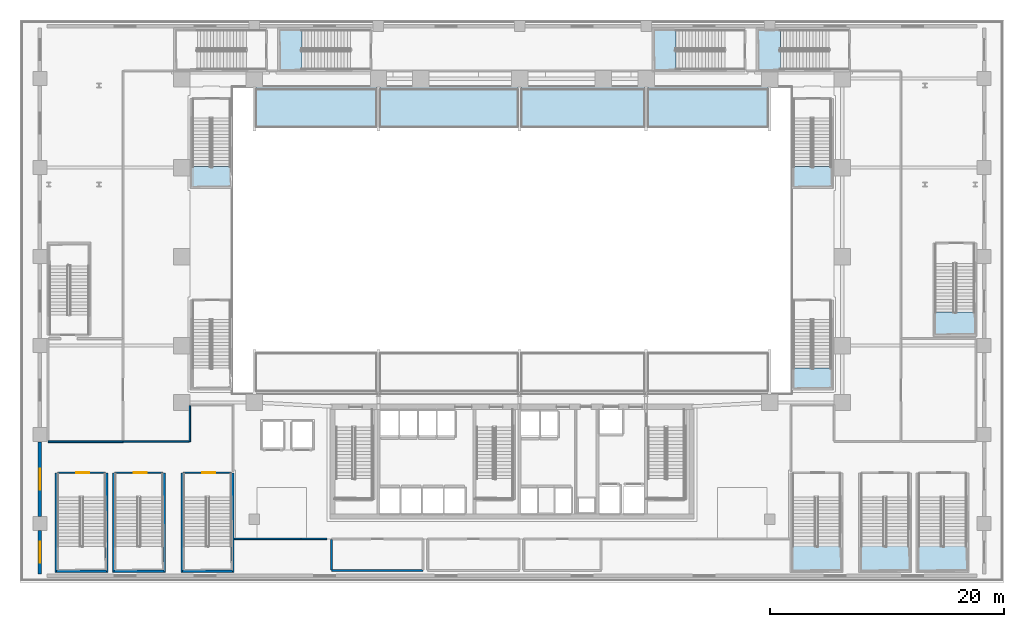
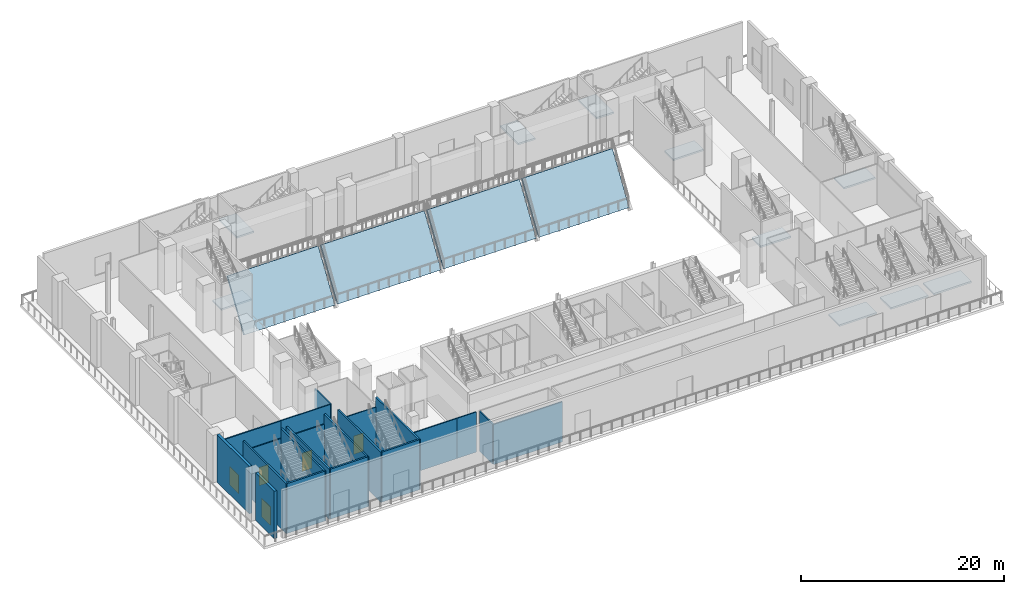
# One storey, part 6 of 30: 21 walls, 14 slabs, 3 doors, 2 windows, 5 openings, 10 elements without a shape of their own.
"""IFC4 building model written with IfcOpenShell, lengths in metres."""

from ifc_helpers import new_model, si_unit, direction, frame, frame_2d, origin, place, context, subcontext, project, spatial, polyline, rectangle, outline, extrude, material, layer, layer_set, type_object, element, fill, aggregate, save


model = new_model("IFC4")

# Units and contexts
model_context = context("Model", 3, precision=1e-05, world=origin(), true_north=direction((0.0, 1.0)))
body_context = subcontext(model_context, "Body", "Model", "MODEL_VIEW")
ifc_project = project(units=[si_unit("LENGTHUNIT", "METRE"), si_unit("AREAUNIT", "SQUARE_METRE"), si_unit("VOLUMEUNIT", "CUBIC_METRE"), si_unit("PLANEANGLEUNIT", "RADIAN"), si_unit("MASSUNIT", "GRAM", prefix="KILO")], contexts=[model_context])

# Site, building, storey
site_placement = place(None, origin())
site = spatial("IfcSite", under=ifc_project, at=site_placement, CompositionType="ELEMENT")
building_placement = place(site_placement, origin())
building = spatial("IfcBuilding", under=site, at=building_placement, Name="Ndaravel Arena Tower", CompositionType="ELEMENT")
storey_placement = place(building_placement, frame((0.0, 0.0, 6.0)))
storey = spatial("IfcBuildingStorey", under=building, at=storey_placement, Name="L01", CompositionType="ELEMENT", Elevation=6.0)

# Stair, slab
ifc_material_1 = material(Name="Concrete C40/50", Category="concrete")
stair_type_1 = type_object("IfcStairType", Name="STAIR-ARENA-HT", PredefinedType="HALF_TURN_STAIR", material=ifc_material_1)
stair_1_placement = place(storey_placement, origin())
stair_1 = element("IfcStair", 1, at=stair_1_placement, inside=storey, type_object=stair_type_1, Name="L01 ST-A04", PredefinedType="HALF_TURN_STAIR")
ifc_material_2 = material(Name="Concrete C40/50", Category="concrete")
ifc_layer_1 = layer(ifc_material_2, 0.199951171875)
ifc_layer_set_1 = layer_set([ifc_layer_1], Name="Concrete C40/50")
slab_type_1 = type_object("IfcSlabType", Name="SLAB-STAIR-LANDING", PredefinedType="LANDING", material=ifc_layer_set_1)
slab_1_placement = place(storey_placement, frame((0.0, 0.0, 2.800048828125)))
slab_1 = element("IfcSlab", 2, at=slab_1_placement, type_object=slab_type_1, Name="ST-A04 landing 1", PredefinedType="LANDING", context=body_context, shape_type="SweptSolid", body=[
    extrude(outline(polyline([(65.8701171875, 3.10498046875), (65.8701171875, 0.969970703125), (70.1298828125, 0.969970703125), (70.1298828125, 3.10498046875), (65.8701171875, 3.10498046875)])), origin(), (0.0, 0.0, 1.0), 0.199951171875),
])
aggregate(stair_1, [slab_1])

stair_2_placement = place(storey_placement, origin())
stair_2 = element("IfcStair", 3, at=stair_2_placement, inside=storey, type_object=stair_type_1, Name="L01 ST-A05", PredefinedType="HALF_TURN_STAIR")
slab_2_placement = place(storey_placement, frame((0.0, 0.0, 2.800048828125)))
slab_2 = element("IfcSlab", 4, at=slab_2_placement, type_object=slab_type_1, Name="ST-A05 landing 1", PredefinedType="LANDING", context=body_context, shape_type="SweptSolid", body=[
    extrude(outline(polyline([(71.719970703125, 3.10498046875), (71.719970703125, 0.969970703125), (75.97998046875, 0.969970703125), (75.97998046875, 3.10498046875), (71.719970703125, 3.10498046875)])), origin(), (0.0, 0.0, 1.0), 0.199951171875),
])
aggregate(stair_2, [slab_2])

stair_3_placement = place(storey_placement, origin())
stair_3 = element("IfcStair", 5, at=stair_3_placement, inside=storey, type_object=stair_type_1, Name="L01 ST-A06", PredefinedType="HALF_TURN_STAIR")
slab_3_placement = place(storey_placement, frame((0.0, 0.0, 2.800048828125)))
slab_3 = element("IfcSlab", 6, at=slab_3_placement, type_object=slab_type_1, Name="ST-A06 landing 1", PredefinedType="LANDING", context=body_context, shape_type="SweptSolid", body=[
    extrude(outline(polyline([(76.6201171875, 3.10498046875), (76.6201171875, 0.969970703125), (80.8798828125, 0.969970703125), (80.8798828125, 3.10498046875), (76.6201171875, 3.10498046875)])), origin(), (0.0, 0.0, 1.0), 0.199951171875),
])
aggregate(stair_3, [slab_3])

ifc_material_3 = material(Name="Concrete C40/50", Category="concrete")
stair_type_2 = type_object("IfcStairType", Name="STAIR-POD-QT", PredefinedType="QUARTER_TURN_STAIR", material=ifc_material_3)
stair_4_placement = place(storey_placement, origin())
stair_4 = element("IfcStair", 7, at=stair_4_placement, inside=storey, type_object=stair_type_2, Name="L01 ST-A09", PredefinedType="QUARTER_TURN_STAIR")
slab_4_placement = place(storey_placement, frame((0.0, 0.0, 2.800048828125)))
slab_4 = element("IfcSlab", 8, at=slab_4_placement, type_object=slab_type_1, Name="ST-A09 landing 1", PredefinedType="LANDING", context=body_context, shape_type="SweptSolid", body=[
    extrude(outline(polyline([(24.06494140625, 47.219970703125), (22.1201171875, 47.219970703125), (22.1201171875, 43.679931640625), (24.06494140625, 43.679931640625), (24.06494140625, 47.219970703125)])), origin(), (0.0, 0.0, 1.0), 0.199951171875),
])
aggregate(stair_4, [slab_4])

stair_5_placement = place(storey_placement, origin())
stair_5 = element("IfcStair", 9, at=stair_5_placement, inside=storey, type_object=stair_type_2, Name="L01 ST-A10", PredefinedType="QUARTER_TURN_STAIR")
slab_5_placement = place(storey_placement, frame((0.0, 0.0, 2.800048828125)))
slab_5 = element("IfcSlab", 10, at=slab_5_placement, type_object=slab_type_1, Name="ST-A10 landing 1", PredefinedType="LANDING", context=body_context, shape_type="SweptSolid", body=[
    extrude(outline(polyline([(56.014892578125, 47.219970703125), (54.070068359375, 47.219970703125), (54.070068359375, 43.679931640625), (56.014892578125, 43.679931640625), (56.014892578125, 47.219970703125)])), origin(), (0.0, 0.0, 1.0), 0.199951171875),
])
aggregate(stair_5, [slab_5])

stair_6_placement = place(storey_placement, origin())
stair_6 = element("IfcStair", 11, at=stair_6_placement, inside=storey, type_object=stair_type_2, Name="L01 ST-A11", PredefinedType="QUARTER_TURN_STAIR")
slab_6_placement = place(storey_placement, frame((0.0, 0.0, 2.800048828125)))
slab_6 = element("IfcSlab", 12, at=slab_6_placement, type_object=slab_type_1, Name="ST-A11 landing 1", PredefinedType="LANDING", context=body_context, shape_type="SweptSolid", body=[
    extrude(outline(polyline([(64.9150390625, 47.219970703125), (62.969970703125, 47.219970703125), (62.969970703125, 43.679931640625), (64.9150390625, 43.679931640625), (64.9150390625, 47.219970703125)])), origin(), (0.0, 0.0, 1.0), 0.199951171875),
])
aggregate(stair_6, [slab_6])

stair_7_placement = place(storey_placement, origin())
stair_7 = element("IfcStair", 13, at=stair_7_placement, inside=storey, type_object=stair_type_2, Name="L01 ST-A12", PredefinedType="QUARTER_TURN_STAIR")
slab_7_placement = place(storey_placement, frame((0.0, 0.0, 2.800048828125)))
slab_7 = element("IfcSlab", 14, at=slab_7_placement, type_object=slab_type_1, Name="ST-A12 landing 1", PredefinedType="LANDING", context=body_context, shape_type="SweptSolid", body=[
    extrude(outline(polyline([(78.0400390625, 23.06494140625), (78.0400390625, 21.1201171875), (81.580078125, 21.1201171875), (81.580078125, 23.06494140625), (78.0400390625, 23.06494140625)])), origin(), (0.0, 0.0, 1.0), 0.199951171875),
])
aggregate(stair_7, [slab_7])

ifc_material_4 = material(Name="Concrete C40/50", Category="concrete")
stair_type_3 = type_object("IfcStairType", Name="STAIR-VOM-STR", PredefinedType="STRAIGHT_RUN_STAIR", material=ifc_material_4)
stair_8_placement = place(storey_placement, origin())
stair_8 = element("IfcStair", 15, at=stair_8_placement, inside=storey, type_object=stair_type_3, Name="L01 ST-VOM-2", PredefinedType="STRAIGHT_RUN_STAIR")
slab_8_placement = place(storey_placement, frame((0.0, 0.0, 2.800048828125)))
slab_8 = element("IfcSlab", 16, at=slab_8_placement, type_object=slab_type_1, Name="ST-VOM-2 landing 1", PredefinedType="LANDING", context=body_context, shape_type="SweptSolid", body=[
    extrude(outline(polyline([(14.6201171875, 35.47509765625), (14.6201171875, 33.719970703125), (18.0400390625, 33.719970703125), (18.0400390625, 35.47509765625), (14.6201171875, 35.47509765625)])), origin(), (0.0, 0.0, 1.0), 0.199951171875),
])
aggregate(stair_8, [slab_8])

stair_9_placement = place(storey_placement, origin())
stair_9 = element("IfcStair", 17, at=stair_9_placement, inside=storey, type_object=stair_type_3, Name="L01 ST-VOM-3", PredefinedType="STRAIGHT_RUN_STAIR")
slab_9_placement = place(storey_placement, frame((0.0, 0.0, 2.800048828125)))
slab_9 = element("IfcSlab", 18, at=slab_9_placement, type_object=slab_type_1, Name="ST-VOM-3 landing 1", PredefinedType="LANDING", context=body_context, shape_type="SweptSolid", body=[
    extrude(outline(polyline([(65.919921875, 18.27490234375), (65.919921875, 16.52001953125), (69.340087890625, 16.52001953125), (69.340087890625, 18.27490234375), (65.919921875, 18.27490234375)])), origin(), (0.0, 0.0, 1.0), 0.199951171875),
])
aggregate(stair_9, [slab_9])

stair_10_placement = place(storey_placement, origin())
stair_10 = element("IfcStair", 19, at=stair_10_placement, inside=storey, type_object=stair_type_3, Name="L01 ST-VOM-4", PredefinedType="STRAIGHT_RUN_STAIR")
slab_10_placement = place(storey_placement, frame((0.0, 0.0, 2.800048828125)))
slab_10 = element("IfcSlab", 20, at=slab_10_placement, type_object=slab_type_1, Name="ST-VOM-4 landing 1", PredefinedType="LANDING", context=body_context, shape_type="SweptSolid", body=[
    extrude(outline(polyline([(65.919921875, 35.47509765625), (65.919921875, 33.719970703125), (69.340087890625, 33.719970703125), (69.340087890625, 35.47509765625), (65.919921875, 35.47509765625)])), origin(), (0.0, 0.0, 1.0), 0.199951171875),
])
aggregate(stair_10, [slab_10])

# Slabs
ifc_material_5 = material(Name="Precast concrete C45/55", Category="concrete")
ifc_layer_2 = layer(ifc_material_5, 0.239990234375)
ifc_layer_set_2 = layer_set([ifc_layer_2], Name="Precast concrete C45/55")
slab_type_2 = type_object("IfcSlabType", Name="SLAB-TIER-240", PredefinedType="USERDEFINED", material=ifc_layer_set_2)
slab_11_placement = place(storey_placement, frame((20.14990234375, 38.800048828125, -5.14990234375), z_axis=(0.0, -0.839559373913, 0.543267942801), x_axis=(1.0, 0.0, 0.0)))
element("IfcSlab", 21, at=slab_11_placement, inside=storey, type_object=slab_type_2, Name="Stand Lower Tier North Bay 1", ObjectType="SEATING TIER", PredefinedType="USERDEFINED", context=body_context, shape_type="SweptSolid", body=[
    extrude(outline(polyline([(0.0, 0.0), (10.300048828125, 0.0), (10.300048828125, 6.074440562623184), (0.0, 6.074440562623184), (0.0, 0.0)])), origin(), (0.0, 0.0, -1.0), 0.239990234375),
])
slab_12_placement = place(storey_placement, frame((30.75, 38.800048828125, -5.14990234375), z_axis=(0.0, -0.839559373913, 0.543267942801), x_axis=(1.0, 0.0, 0.0)))
element("IfcSlab", 22, at=slab_12_placement, inside=storey, type_object=slab_type_2, Name="Stand Lower Tier North Bay 2", ObjectType="SEATING TIER", PredefinedType="USERDEFINED", context=body_context, shape_type="SweptSolid", body=[
    extrude(outline(polyline([(0.0, 0.0), (11.75, 0.0), (11.75, 6.074440562623184), (0.0, 6.074440562623184), (0.0, 0.0)])), origin(), (0.0, 0.0, -1.0), 0.239990234375),
])
slab_13_placement = place(storey_placement, frame((42.800048828125, 38.800048828125, -5.14990234375), z_axis=(0.0, -0.839559373913, 0.543267942801), x_axis=(1.0, 0.0, 0.0)))
element("IfcSlab", 23, at=slab_13_placement, inside=storey, type_object=slab_type_2, Name="Stand Lower Tier North Bay 3", ObjectType="SEATING TIER", PredefinedType="USERDEFINED", context=body_context, shape_type="SweptSolid", body=[
    extrude(outline(polyline([(0.0, 0.0), (10.5, 0.0), (10.5, 6.074440562623184), (0.0, 6.074440562623184), (0.0, 0.0)])), origin(), (0.0, 0.0, -1.0), 0.239990234375),
])
slab_14_placement = place(storey_placement, frame((53.60009765625, 38.800048828125, -5.14990234375), z_axis=(0.0, -0.839559373913, 0.543267942801), x_axis=(1.0, 0.0, 0.0)))
element("IfcSlab", 24, at=slab_14_placement, inside=storey, type_object=slab_type_2, Name="Stand Lower Tier North Bay 4", ObjectType="SEATING TIER", PredefinedType="USERDEFINED", context=body_context, shape_type="SweptSolid", body=[
    extrude(outline(polyline([(0.0, 0.0), (10.25, 0.0), (10.25, 6.074440562623184), (0.0, 6.074440562623184), (0.0, 0.0)])), origin(), (0.0, 0.0, -1.0), 0.239990234375),
])

# Walls
ifc_material_6 = material(Name="Gypsum", Category="gypsum")
ifc_layer_3 = layer(ifc_material_6, 0.125)
ifc_layer_set_3 = layer_set([ifc_layer_3], Name="Gypsum")
wall_type_1 = type_object("IfcWallType", Name="WALL-PART-125", PredefinedType="PARTITIONING", material=ifc_layer_set_3)
wall_1_placement = place(storey_placement, frame((26.199951171875, 3.699951171875, 0.0), z_axis=(0.0, 0.0, 1.0), x_axis=(-1.0, 0.0, 0.0)))
element("IfcWall", 25, at=wall_1_placement, inside=storey, type_object=wall_type_1, Name="L01 Interior Partition 006", PredefinedType="PARTITIONING", context=body_context, shape_type="SweptSolid", body=[
    extrude(rectangle(XDim=2.199951171875, YDim=0.125, at=frame_2d((1.10009765625, 0.0))), origin(), (0.0, 0.0, 1.0), 4.819091796875),
])
wall_2_placement = place(storey_placement, frame((24.0, 3.699951171875, 0.0), z_axis=(0.0, 0.0, 1.0), x_axis=(-1.0, 0.0, 0.0)))
element("IfcWall", 26, at=wall_2_placement, inside=storey, type_object=wall_type_1, Name="L01 Interior Partition 007", PredefinedType="PARTITIONING", context=body_context, shape_type="SweptSolid", body=[
    extrude(rectangle(XDim=5.72998046875, YDim=0.125, at=frame_2d((2.864990234375, 0.0))), origin(), (0.0, 0.0, 1.0), 4.819091796875),
])
wall_3_placement = place(storey_placement, frame((14.5, 15.0849609375, 0.0), z_axis=(0.0, 0.0, 1.0), x_axis=(0.0, -1.0, 0.0)))
element("IfcWall", 27, at=wall_3_placement, inside=storey, type_object=wall_type_1, Name="L01 Interior Partition 010", PredefinedType="PARTITIONING", context=body_context, shape_type="SweptSolid", body=[
    extrude(rectangle(XDim=3.0849609375, YDim=0.125, at=frame_2d((1.54248046875, 0.0))), origin(), (0.0, 0.0, 1.0), 4.819091796875),
])
wall_4_placement = place(storey_placement, frame((14.43505859375, 12.0, 0.0), z_axis=(0.0, 0.0, 1.0), x_axis=(-1.0, 0.0, 0.0)))
element("IfcWall", 28, at=wall_4_placement, inside=storey, type_object=wall_type_1, Name="L01 Interior Partition 011", PredefinedType="PARTITIONING", context=body_context, shape_type="SweptSolid", body=[
    extrude(rectangle(XDim=5.635009765625, YDim=0.125, at=frame_2d((2.8173828125, 0.0))), origin(), (0.0, 0.0, 1.0), 4.819091796875),
])

# Wall, opening, window
ifc_material_7 = material(Name="Masonry", Category="masonry")
ifc_layer_4 = layer(ifc_material_7, 0.300048828125)
ifc_layer_set_4 = layer_set([ifc_layer_4], Name="Masonry")
wall_type_2 = type_object("IfcWallType", Name="WALL-POD-MAZERAS-300", PredefinedType="SOLIDWALL", material=ifc_layer_set_4)
wall_5_placement = place(storey_placement, frame((1.699951171875, 0.699951171875, 0.0), z_axis=(0.0, 0.0, 1.0), x_axis=(0.0, 1.0, 0.0)))
wall_5 = element("IfcWall", 29, at=wall_5_placement, inside=storey, type_object=wall_type_2, Name="L01 West Mazeras Bay 1", PredefinedType="SOLIDWALL", context=body_context, shape_type="SweptSolid", body=[
    extrude(rectangle(XDim=3.699951171875, YDim=0.300048828125, at=frame_2d((1.85009765625, 0.0))), origin(), (0.0, 0.0, 1.0), 5.699951171875),
])
opening_1_placement = place(wall_5_placement, frame((0.949951171875, 0.0, 1.0)))
opening_1 = element("IfcOpeningElement", 30, at=opening_1_placement, cuts=wall_5, Name="Opening W-PD2", PredefinedType="OPENING", context=body_context, shape_type="SweptSolid", body=[
    extrude(rectangle(XDim=1.800048828125, YDim=2.199951171875, at=frame_2d((0.89990234375, 1.10009765625))), frame((0.0, 0.14990234375, 0.0), z_axis=(0.0, -1.0, 0.0), x_axis=(1.0, 0.0, 0.0)), (0.0, 0.0, 1.0), 0.300048828125),
])
ifc_material_8 = material(Name="Glazing", Category="glass")
window_type = type_object("IfcWindowType", Name="WIN-POD-1800", PartitioningType="SINGLE_PANEL", PredefinedType="WINDOW", material=ifc_material_8)
window_1_placement = place(opening_1_placement, origin())
window_1 = element("IfcWindow", 31, at=window_1_placement, inside=storey, type_object=window_type, Name="L01 West Mazeras Window 1", OverallHeight=2.199951171875, OverallWidth=1.800048828125, PartitioningType="SINGLE_PANEL", PredefinedType="WINDOW", context=body_context, shape_type="SweptSolid", body=[
    extrude(rectangle(XDim=1.800048828125, YDim=2.199951171875, at=frame_2d((0.89990234375, 1.10009765625))), frame((0.0, 0.030029296875, 0.0), z_axis=(0.0, -1.0, 0.0), x_axis=(1.0, 0.0, 0.0)), (0.0, 0.0, 1.0), 0.06005859375),
])
fill(opening_1, window_1)

wall_6_placement = place(storey_placement, frame((1.699951171875, 5.6201171875, 0.0), z_axis=(0.0, 0.0, 1.0), x_axis=(0.0, 1.0, 0.0)))
wall_6 = element("IfcWall", 32, at=wall_6_placement, inside=storey, type_object=wall_type_2, Name="L01 West Mazeras Bay 2", PredefinedType="SOLIDWALL", context=body_context, shape_type="SweptSolid", body=[
    extrude(rectangle(XDim=6.35986328125, YDim=0.300048828125, at=frame_2d((3.179931640625, 0.0))), origin(), (0.0, 0.0, 1.0), 5.699951171875),
])
opening_2_placement = place(wall_6_placement, frame((2.280029296875, 0.0, 1.0)))
opening_2 = element("IfcOpeningElement", 33, at=opening_2_placement, cuts=wall_6, Name="Opening W-PD2", PredefinedType="OPENING", context=body_context, shape_type="SweptSolid", body=[
    extrude(rectangle(XDim=1.800048828125, YDim=2.199951171875, at=frame_2d((0.89990234375, 1.10009765625))), frame((0.0, 0.14990234375, 0.0), z_axis=(0.0, -1.0, 0.0), x_axis=(1.0, 0.0, 0.0)), (0.0, 0.0, 1.0), 0.300048828125),
])
window_2_placement = place(opening_2_placement, origin())
window_2 = element("IfcWindow", 34, at=window_2_placement, inside=storey, type_object=window_type, Name="L01 West Mazeras Window 2", OverallHeight=2.199951171875, OverallWidth=1.800048828125, PartitioningType="SINGLE_PANEL", PredefinedType="WINDOW", context=body_context, shape_type="SweptSolid", body=[
    extrude(rectangle(XDim=1.800048828125, YDim=2.199951171875, at=frame_2d((0.89990234375, 1.10009765625))), frame((0.0, 0.030029296875, 0.0), z_axis=(0.0, -1.0, 0.0), x_axis=(1.0, 0.0, 0.0)), (0.0, 0.0, 1.0), 0.06005859375),
])
fill(opening_2, window_2)

# Wall, opening, door
ifc_material_9 = material(Name="Concrete C40/50", Category="concrete")
ifc_layer_5 = layer(ifc_material_9, 0.1201171875)
ifc_layer_set_5 = layer_set([ifc_layer_5], Name="Concrete C40/50")
wall_type_3 = type_object("IfcWallType", Name="WALL-SHAFT-120", PredefinedType="SOLIDWALL", material=ifc_layer_set_5)
wall_7_placement = place(storey_placement, frame((3.205078125, 9.35009765625, 0.0), z_axis=(0.0, 0.0, 1.0), x_axis=(1.0, 0.0, 0.0)))
wall_7 = element("IfcWall", 35, at=wall_7_placement, inside=storey, type_object=wall_type_3, Name="L01 ST-A01 Entry Wall", PredefinedType="SOLIDWALL", context=body_context, shape_type="SweptSolid", body=[
    extrude(rectangle(XDim=4.08984375, YDim=0.1201171875, at=frame_2d((2.044921875, 0.0))), origin(), (0.0, 0.0, 1.0), 4.819091796875),
])
opening_3_placement = place(wall_7_placement, frame((1.60009765625, 0.0, 0.0)))
opening_3 = element("IfcOpeningElement", 36, at=opening_3_placement, cuts=wall_7, Name="Opening FD-01", PredefinedType="OPENING", context=body_context, shape_type="SweptSolid", body=[
    extrude(rectangle(XDim=1.10009765625, YDim=2.199951171875, at=frame_2d((0.550048828125, 1.10009765625))), frame((0.0, 0.06005859375, 0.0), z_axis=(0.0, -1.0, 0.0), x_axis=(1.0, 0.0, 0.0)), (0.0, 0.0, 1.0), 0.1201171875),
])
ifc_material_10 = material(Name="Steel S355", Category="steel")
door_type = type_object("IfcDoorType", Name="DT-01-STAIR-1100", OperationType="SINGLE_SWING_LEFT", PredefinedType="DOOR", material=ifc_material_10)
door_1_placement = place(opening_3_placement, origin())
door_1 = element("IfcDoor", 37, at=door_1_placement, inside=storey, type_object=door_type, Name="L01 ST-A01 Fire Exit Stair Door", OperationType="SINGLE_SWING_RIGHT", OverallHeight=2.199951171875, OverallWidth=1.10009765625, PredefinedType="DOOR", context=body_context, shape_type="SweptSolid", body=[
    extrude(rectangle(XDim=1.10009765625, YDim=2.199951171875, at=frame_2d((0.550048828125, 1.10009765625))), frame((0.0, 0.02490234375, 0.0), z_axis=(0.0, -1.0, 0.0), x_axis=(1.0, 0.0, 0.0)), (0.0, 0.0, 1.0), 0.050048828125),
])
fill(opening_3, door_1)

wall_8_placement = place(storey_placement, frame((8.10498046875, 9.35009765625, 0.0), z_axis=(0.0, 0.0, 1.0), x_axis=(1.0, 0.0, 0.0)))
wall_8 = element("IfcWall", 38, at=wall_8_placement, inside=storey, type_object=wall_type_3, Name="L01 ST-A02 Entry Wall", PredefinedType="SOLIDWALL", context=body_context, shape_type="SweptSolid", body=[
    extrude(rectangle(XDim=4.090087890625, YDim=0.1201171875, at=frame_2d((2.044921875, 0.0))), origin(), (0.0, 0.0, 1.0), 4.819091796875),
])
opening_4_placement = place(wall_8_placement, frame((1.60009765625, 0.0, 0.0)))
opening_4 = element("IfcOpeningElement", 39, at=opening_4_placement, cuts=wall_8, Name="Opening FD-01", PredefinedType="OPENING", context=body_context, shape_type="SweptSolid", body=[
    extrude(rectangle(XDim=1.10009765625, YDim=2.199951171875, at=frame_2d((0.550048828125, 1.10009765625))), frame((0.0, 0.06005859375, 0.0), z_axis=(0.0, -1.0, 0.0), x_axis=(1.0, 0.0, 0.0)), (0.0, 0.0, 1.0), 0.1201171875),
])
door_2_placement = place(opening_4_placement, origin())
door_2 = element("IfcDoor", 40, at=door_2_placement, inside=storey, type_object=door_type, Name="L01 ST-A02 Fire Exit Stair Door", OperationType="SINGLE_SWING_RIGHT", OverallHeight=2.199951171875, OverallWidth=1.10009765625, PredefinedType="DOOR", context=body_context, shape_type="SweptSolid", body=[
    extrude(rectangle(XDim=1.10009765625, YDim=2.199951171875, at=frame_2d((0.550048828125, 1.10009765625))), frame((0.0, 0.02490234375, 0.0), z_axis=(0.0, -1.0, 0.0), x_axis=(1.0, 0.0, 0.0)), (0.0, 0.0, 1.0), 0.050048828125),
])
fill(opening_4, door_2)

wall_9_placement = place(storey_placement, frame((13.955078125, 9.35009765625, 0.0), z_axis=(0.0, 0.0, 1.0), x_axis=(1.0, 0.0, 0.0)))
wall_9 = element("IfcWall", 41, at=wall_9_placement, inside=storey, type_object=wall_type_3, Name="L01 ST-A03 Entry Wall", PredefinedType="SOLIDWALL", context=body_context, shape_type="SweptSolid", body=[
    extrude(rectangle(XDim=4.08984375, YDim=0.1201171875, at=frame_2d((2.044921875, 0.0))), origin(), (0.0, 0.0, 1.0), 4.819091796875),
])
opening_5_placement = place(wall_9_placement, frame((1.60009765625, 0.0, 0.0)))
opening_5 = element("IfcOpeningElement", 42, at=opening_5_placement, cuts=wall_9, Name="Opening FD-01", PredefinedType="OPENING", context=body_context, shape_type="SweptSolid", body=[
    extrude(rectangle(XDim=1.10009765625, YDim=2.199951171875, at=frame_2d((0.550048828125, 1.10009765625))), frame((0.0, 0.06005859375, 0.0), z_axis=(0.0, -1.0, 0.0), x_axis=(1.0, 0.0, 0.0)), (0.0, 0.0, 1.0), 0.1201171875),
])
door_3_placement = place(opening_5_placement, origin())
door_3 = element("IfcDoor", 43, at=door_3_placement, inside=storey, type_object=door_type, Name="L01 ST-A03 Fire Exit Stair Door", OperationType="SINGLE_SWING_RIGHT", OverallHeight=2.199951171875, OverallWidth=1.10009765625, PredefinedType="DOOR", context=body_context, shape_type="SweptSolid", body=[
    extrude(rectangle(XDim=1.10009765625, YDim=2.199951171875, at=frame_2d((0.550048828125, 1.10009765625))), frame((0.0, 0.02490234375, 0.0), z_axis=(0.0, -1.0, 0.0), x_axis=(1.0, 0.0, 0.0)), (0.0, 0.0, 1.0), 0.050048828125),
])
fill(opening_5, door_3)

# Walls
ifc_material_11 = material(Name="Concrete C40/50", Category="concrete")
ifc_layer_6 = layer(ifc_material_11, 0.199951171875)
ifc_layer_set_6 = layer_set([ifc_layer_6], Name="Concrete C40/50")
wall_type_4 = type_object("IfcWallType", Name="WALL-SHAFT-200", PredefinedType="SOLIDWALL", material=ifc_layer_set_6)
for number, where, z_axis, x_axis, name in (
    (44, (3.10009765625, 9.35009765625, 0.0), (0.0, 0.0, 1.0), (0.0, -1.0, 0.0), "L01 ST-A01 Shaft Wall Left"),
    (45, (7.39990234375, 9.35009765625, 0.0), (0.0, 0.0, 1.0), (0.0, -1.0, 0.0), "L01 ST-A01 Shaft Wall Right"),
):
    element("IfcWall", number, at=place(storey_placement, frame(where, z_axis=z_axis, x_axis=x_axis)), inside=storey, type_object=wall_type_4, Name=name, PredefinedType="SOLIDWALL", context=body_context, shape_type="SweptSolid", body=[
        extrude(rectangle(XDim=8.5, YDim=0.199951171875, at=frame_2d((4.25, 0.0))), origin(), (0.0, 0.0, 1.0), 6.0),
    ])
wall_10_placement = place(storey_placement, frame((3.110107421875, 0.949951171875, 0.0), z_axis=(0.0, 0.0, 1.0), x_axis=(1.0, 0.0, 0.0)))
element("IfcWall", 46, at=wall_10_placement, inside=storey, type_object=wall_type_4, Name="L01 ST-A01 Shaft Wall Far", PredefinedType="SOLIDWALL", context=body_context, shape_type="SweptSolid", body=[
    extrude(rectangle(XDim=4.27978515625, YDim=0.199951171875, at=frame_2d((2.139892578125, 0.0))), origin(), (0.0, 0.0, 1.0), 6.0),
])
for number, where, z_axis, x_axis, name in (
    (47, (8.0, 9.35009765625, 0.0), (0.0, 0.0, 1.0), (0.0, -1.0, 0.0), "L01 ST-A02 Shaft Wall Left"),
    (48, (12.300048828125, 9.35009765625, 0.0), (0.0, 0.0, 1.0), (0.0, -1.0, 0.0), "L01 ST-A02 Shaft Wall Right"),
):
    element("IfcWall", number, at=place(storey_placement, frame(where, z_axis=z_axis, x_axis=x_axis)), inside=storey, type_object=wall_type_4, Name=name, PredefinedType="SOLIDWALL", context=body_context, shape_type="SweptSolid", body=[
        extrude(rectangle(XDim=8.5, YDim=0.199951171875, at=frame_2d((4.25, 0.0))), origin(), (0.0, 0.0, 1.0), 6.0),
    ])
wall_11_placement = place(storey_placement, frame((8.010009765625, 0.949951171875, 0.0), z_axis=(0.0, 0.0, 1.0), x_axis=(1.0, 0.0, 0.0)))
element("IfcWall", 49, at=wall_11_placement, inside=storey, type_object=wall_type_4, Name="L01 ST-A02 Shaft Wall Far", PredefinedType="SOLIDWALL", context=body_context, shape_type="SweptSolid", body=[
    extrude(rectangle(XDim=4.280029296875, YDim=0.199951171875, at=frame_2d((2.14013671875, 0.0))), origin(), (0.0, 0.0, 1.0), 6.0),
])
for number, where, z_axis, x_axis, name in (
    (50, (13.85009765625, 9.35009765625, 0.0), (0.0, 0.0, 1.0), (0.0, -1.0, 0.0), "L01 ST-A03 Shaft Wall Left"),
    (51, (18.14990234375, 9.35009765625, 0.0), (0.0, 0.0, 1.0), (0.0, -1.0, 0.0), "L01 ST-A03 Shaft Wall Right"),
):
    element("IfcWall", number, at=place(storey_placement, frame(where, z_axis=z_axis, x_axis=x_axis)), inside=storey, type_object=wall_type_4, Name=name, PredefinedType="SOLIDWALL", context=body_context, shape_type="SweptSolid", body=[
        extrude(rectangle(XDim=8.5, YDim=0.199951171875, at=frame_2d((4.25, 0.0))), origin(), (0.0, 0.0, 1.0), 6.0),
    ])
wall_12_placement = place(storey_placement, frame((13.860107421875, 0.949951171875, 0.0), z_axis=(0.0, 0.0, 1.0), x_axis=(1.0, 0.0, 0.0)))
element("IfcWall", 52, at=wall_12_placement, inside=storey, type_object=wall_type_4, Name="L01 ST-A03 Shaft Wall Far", PredefinedType="SOLIDWALL", context=body_context, shape_type="SweptSolid", body=[
    extrude(rectangle(XDim=4.27978515625, YDim=0.199951171875, at=frame_2d((2.139892578125, 0.0))), origin(), (0.0, 0.0, 1.0), 6.0),
])
ifc_material_12 = material(Name="Masonry", Category="masonry")
ifc_layer_7 = layer(ifc_material_12, 0.14990234375)
ifc_layer_set_7 = layer_set([ifc_layer_7], Name="Masonry")
wall_type_5 = type_object("IfcWallType", Name="WALL-WET-150", PredefinedType="PARTITIONING", material=ifc_layer_set_7)
wall_13_placement = place(storey_placement, frame((8.800048828125, 12.0, 0.0), z_axis=(0.0, 0.0, 1.0), x_axis=(-1.0, 0.0, 0.0)))
element("IfcWall", 53, at=wall_13_placement, inside=storey, type_object=wall_type_5, Name="L01 Interior Partition 026", PredefinedType="PARTITIONING", context=body_context, shape_type="SweptSolid", body=[
    extrude(rectangle(XDim=6.400146484375, YDim=0.14990234375, at=frame_2d((3.2001953125, 0.0))), origin(), (0.0, 0.0, 1.0), 4.819091796875),
])
wall_14_placement = place(storey_placement, frame((34.39990234375, 1.0, 0.0), z_axis=(0.0, 0.0, 1.0), x_axis=(-1.0, 0.0, 0.0)))
element("IfcWall", 54, at=wall_14_placement, inside=storey, type_object=wall_type_5, Name="L01 Interior Partition 033", PredefinedType="PARTITIONING", context=body_context, shape_type="SweptSolid", body=[
    extrude(rectangle(XDim=7.7998046875, YDim=0.14990234375, at=frame_2d((3.89990234375, 0.0))), origin(), (0.0, 0.0, 1.0), 4.819091796875),
])
wall_15_placement = place(storey_placement, frame((26.60009765625, 1.06494140625, 0.0), z_axis=(0.0, 0.0, 1.0), x_axis=(0.0, 1.0, 0.0)))
element("IfcWall", 55, at=wall_15_placement, inside=storey, type_object=wall_type_5, Name="L01 Interior Partition 034", PredefinedType="PARTITIONING", context=body_context, shape_type="SweptSolid", body=[
    extrude(rectangle(XDim=2.570068359375, YDim=0.14990234375, at=frame_2d((1.28515625, 0.0))), origin(), (0.0, 0.0, 1.0), 4.819091796875),
])

save(model, "model.ifc")
